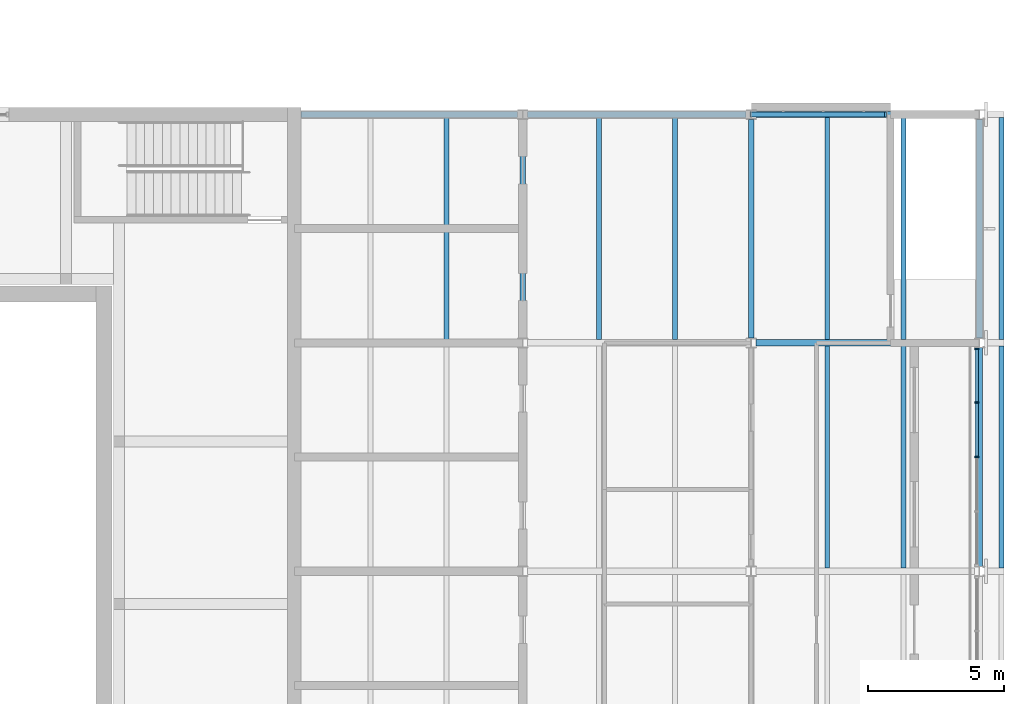
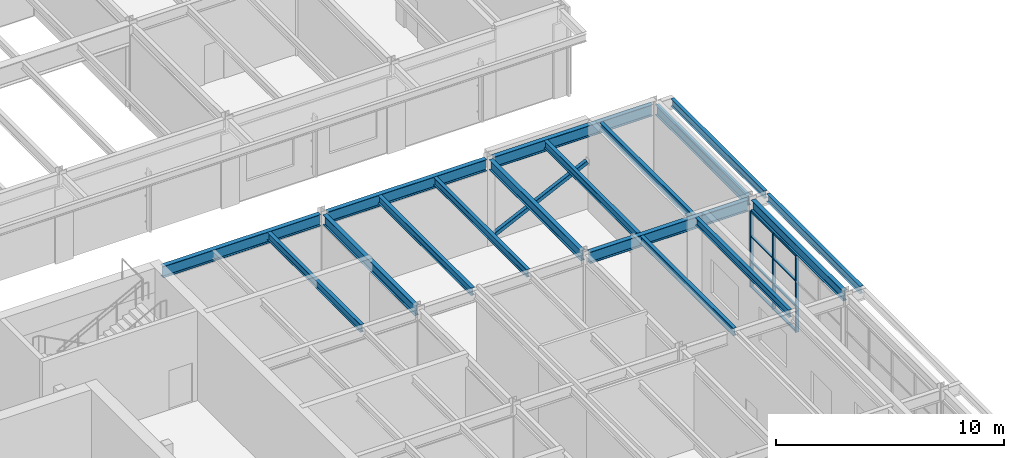
# One storey, part 49 of 116: 17 beams, 12 members, 1 element without a shape of its own.
"""IFC4 building model written with IfcOpenShell, lengths in metres."""

from ifc_helpers import new_model, si_unit, direction, frame, origin, origin_2d, place, context, subcontext, project, spatial, rectangle, hollow_rectangle, i_section, extrude, material, material_profile, profile_set, type_object, element, aggregate, save


model = new_model("IFC4")

# Units and contexts
model_context = context("Model", 3, precision=1e-05, world=origin(), true_north=direction((0.0, 1.0)))
body_context = subcontext(model_context, "Body", "Model", "MODEL_VIEW")
ifc_project = project(units=[si_unit("LENGTHUNIT", "METRE"), si_unit("AREAUNIT", "SQUARE_METRE"), si_unit("VOLUMEUNIT", "CUBIC_METRE"), si_unit("PLANEANGLEUNIT", "RADIAN"), si_unit("MASSUNIT", "GRAM", prefix="KILO")], contexts=[model_context])

# Site, building, storey
site_placement = place(None, origin())
site = spatial("IfcSite", under=ifc_project, at=site_placement, CompositionType="ELEMENT")
building_placement = place(site_placement, origin())
building = spatial("IfcBuilding", under=site, at=building_placement, Name="Ljudholm Concert House", CompositionType="ELEMENT")
storey_placement = place(building_placement, frame((0.0, 0.0, 10.199951171875)))
storey = spatial("IfcBuildingStorey", under=building, at=storey_placement, Name="L02", CompositionType="ELEMENT", Elevation=10.199951171875)

# Curtain wall, members
ifc_material_1 = material(Name="Aluminium curtain wall with fixed aluminium storm louvre blades, timber-grain finish", Category="aluminium")
curtain_wall_type = type_object("IfcCurtainWallType", Name="CURTAIN WALL 2000", PredefinedType="NOTDEFINED", material=ifc_material_1)
curtain_wall_placement = place(storey_placement, origin())
curtain_wall = element("IfcCurtainWall", 1, at=curtain_wall_placement, inside=storey, type_object=curtain_wall_type, Name="Storm louvre screen", PredefinedType="NOTDEFINED")
ifc_material_2 = material(Name="Aluminium extrusion", Category="aluminium")
ifc_material_profile_1 = material_profile(ifc_material_2, rectangle(XDim=0.159912109375, YDim=0.06005859375, at=origin_2d()), Name="MULLION 60x160")
ifc_profile_set_1 = profile_set([ifc_material_profile_1], Name="Aluminium extrusion")
member_type_1 = type_object("IfcMemberType", Name="MULLION 60x160", PredefinedType="MULLION", material=ifc_profile_set_1)
member_1_placement = place(storey_placement, frame((121.5, 83.800048828125, 0.0), z_axis=(0.0, 0.0, 1.0), x_axis=(-1.0, 0.0, 0.0)))
member_1 = element("IfcMember", 2, at=member_1_placement, type_object=member_type_1, Name="Mullion", PredefinedType="MULLION", context=body_context, shape_type="SweptSolid", body=[
    extrude(rectangle(XDim=0.159912109375, YDim=0.06005859375, at=origin_2d()), origin(), (0.0, 0.0, 1.0), 4.086669921875),
])
member_2_placement = place(storey_placement, frame((121.5, 85.804931640625, 0.0), z_axis=(0.0, 0.0, 1.0), x_axis=(-1.0, 0.0, 0.0)))
member_2 = element("IfcMember", 3, at=member_2_placement, type_object=member_type_1, Name="Mullion", PredefinedType="MULLION", context=body_context, shape_type="SweptSolid", body=[
    extrude(rectangle(XDim=0.159912109375, YDim=0.06005859375, at=origin_2d()), origin(), (0.0, 0.0, 1.0), 4.086669921875),
])
member_3_placement = place(storey_placement, frame((121.5, 87.780029296875, 0.0), z_axis=(0.0, 0.0, 1.0), x_axis=(-1.0, 0.0, 0.0)))
member_3 = element("IfcMember", 4, at=member_3_placement, type_object=member_type_1, Name="Mullion", PredefinedType="MULLION", context=body_context, shape_type="SweptSolid", body=[
    extrude(rectangle(XDim=0.159912109375, YDim=0.06005859375, at=origin_2d()), origin(), (0.0, 0.0, 1.0), 4.086669921875),
])

# Beams
ifc_material_3 = material(Name="Steel ASTM A992", Category="steel")
ifc_material_profile_2 = material_profile(ifc_material_3, i_section(OverallWidth=0.177734375, OverallDepth=0.406494140625, WebThickness=0.0078125, FlangeThickness=0.012939453125, FilletRadius=0.01025390625, at=origin_2d()), Name="W16X40")
ifc_profile_set_2 = profile_set([ifc_material_profile_2], Name="Steel ASTM A992")
beam_type_1 = type_object("IfcBeamType", Name="STEEL BEAM W16X40", PredefinedType="BEAM", material=ifc_profile_set_2)
for number, where, z_axis, x_axis, name in (
    (5, (102.0, 88.114501953125, 4.416748046875), (0.0, 1.0, 0.0), (-1.0, 0.0, 0.0), "Beam BOH-ROOF-sb-102-88"),
    (6, (107.60009765625, 88.114501953125, 4.416748046875), (0.0, 1.0, 0.0), (-1.0, 0.0, 0.0), "Beam BOH-ROOF-sb-107.6-88"),
    (7, (110.39990234375, 88.114501953125, 4.416748046875), (0.0, 1.0, 0.0), (-1.0, 0.0, 0.0), "Beam BOH-ROOF-sb-110.4-88"),
    (8, (116.0, 79.714599609375, 4.416748046875), (0.0, 1.0, 0.0), (-1.0, 0.0, 0.0), "Beam BOH-ROOF-sb-116-79.6"),
    (9, (118.800048828125, 79.714599609375, 4.416748046875), (0.0, 1.0, 0.0), (-1.0, 0.0, 0.0), "Beam BOH-ROOF-sb-118.8-79.6"),
    (10, (116.0, 88.114501953125, 4.416748046875), (0.0, 1.0, 0.0), (-1.0, 0.0, 0.0), "Beam BOH-ROOF-sb-116-88"),
    (11, (118.800048828125, 88.114501953125, 4.416748046875), (0.0, 1.0, 0.0), (-1.0, 0.0, 0.0), "Beam BOH-ROOF-sb-118.8-88"),
    (12, (122.4111328125, 79.714599609375, 4.416748046875), (0.0, 1.0, 0.0), (-1.0, 0.0, 0.0), "Beam BOH-ROOF-eave-edge-E10"),
    (13, (122.4111328125, 88.114501953125, 4.416748046875), (0.0, 1.0, 0.0), (-1.0, 0.0, 0.0), "Beam BOH-ROOF-eave-edge-E11"),
):
    element("IfcBeam", number, at=place(storey_placement, frame(where, z_axis=z_axis, x_axis=x_axis)), inside=storey, type_object=beam_type_1, Name=name, PredefinedType="BEAM", context=body_context, shape_type="SweptSolid", body=[
        extrude(i_section(OverallWidth=0.177734375, OverallDepth=0.406494140625, WebThickness=0.0078125, FlangeThickness=0.012939453125, FilletRadius=0.01025390625, at=origin_2d()), origin(), (0.0, 0.0, 1.0), 8.1708984375),
    ])
ifc_material_4 = material(Name="Steel ASTM A992", Category="steel")
ifc_material_profile_3 = material_profile(ifc_material_4, i_section(OverallWidth=0.209228515625, OverallDepth=0.533447265625, WebThickness=0.01025390625, FlangeThickness=0.015625, FilletRadius=0.012939453125, at=origin_2d()), Name="W21X62")
ifc_profile_set_3 = profile_set([ifc_material_profile_3], Name="Steel ASTM A992")
beam_type_2 = type_object("IfcBeamType", Name="STEEL BEAM W21X62", PredefinedType="BEAM", material=ifc_profile_set_3)
for number, where, z_axis, x_axis, name in (
    (14, (104.800048828125, 88.177734375, 4.353271484375), (0.0, 1.0, 0.0), (-1.0, 0.0, 0.0), "Beam BOH-ROOF-gy-104.8-88"),
    (15, (113.199951171875, 88.177734375, 4.353271484375), (0.0, 1.0, 0.0), (-1.0, 0.0, 0.0), "Beam BOH-ROOF-gy-113.2-88"),
    (16, (121.60009765625, 79.77783203125, 4.353271484375), (0.0, 1.0, 0.0), (-1.0, 0.0, 0.0), "Beam BOH-ROOF-gy-121.6-79.6"),
    (17, (121.60009765625, 88.177734375, 4.353271484375), (0.0, 1.0, 0.0), (-1.0, 0.0, 0.0), "Beam BOH-ROOF-gy-121.6-88"),
):
    element("IfcBeam", number, at=place(storey_placement, frame(where, z_axis=z_axis, x_axis=x_axis)), inside=storey, type_object=beam_type_2, Name=name, PredefinedType="BEAM", context=body_context, shape_type="SweptSolid", body=[
        extrude(i_section(OverallWidth=0.209228515625, OverallDepth=0.533447265625, WebThickness=0.01025390625, FlangeThickness=0.015625, FilletRadius=0.012939453125, at=origin_2d()), origin(), (0.0, 0.0, 1.0), 8.04443359375),
    ])
ifc_material_5 = material(Name="Steel ASTM A992", Category="steel")
ifc_material_profile_4 = material_profile(ifc_material_5, i_section(OverallWidth=0.22900390625, OverallDepth=0.612060546875, WebThickness=0.011962890625, FlangeThickness=0.01953125, FilletRadius=0.0126953125, at=origin_2d()), Name="W24X84")
ifc_profile_set_4 = profile_set([ifc_material_profile_4], Name="Steel ASTM A992")
beam_type_3 = type_object("IfcBeamType", Name="STEEL BEAM W24X84", PredefinedType="BEAM", material=ifc_profile_set_4)
beam_1_placement = place(storey_placement, frame((113.384033203125, 88.0, 4.31396484375), z_axis=(1.0, 0.0, 0.0), x_axis=(0.0, 1.0, 0.0)))
element("IfcBeam", 18, at=beam_1_placement, inside=storey, type_object=beam_type_3, Name="Beam BOH-ROOF-gx-113.2-88", PredefinedType="BEAM", context=body_context, shape_type="SweptSolid", body=[
    extrude(i_section(OverallWidth=0.22900390625, OverallDepth=0.612060546875, WebThickness=0.011962890625, FlangeThickness=0.01953125, FilletRadius=0.0126953125, at=origin_2d()), origin(), (0.0, 0.0, 1.0), 8.03173828125),
])
beam_2_placement = place(storey_placement, frame((96.64990234375, 96.39990234375, 4.31396484375), z_axis=(1.0, 0.0, 0.0), x_axis=(0.0, 1.0, 0.0)))
element("IfcBeam", 19, at=beam_2_placement, inside=storey, type_object=beam_type_3, Name="Beam BOH-ROOF-gx-96.4-96.4", PredefinedType="BEAM", context=body_context, shape_type="SweptSolid", body=[
    extrude(i_section(OverallWidth=0.22900390625, OverallDepth=0.612060546875, WebThickness=0.011962890625, FlangeThickness=0.01953125, FilletRadius=0.0126953125, at=origin_2d()), origin(), (0.0, 0.0, 1.0), 7.966064453125),
])
for number, where, z_axis, x_axis, name in (
    (20, (104.984130859375, 96.39990234375, 4.31396484375), (1.0, 0.0, 0.0), (0.0, 1.0, 0.0), "Beam BOH-ROOF-gx-104.8-96.4"),
    (21, (113.384033203125, 96.39990234375, 4.31396484375), (1.0, 0.0, 0.0), (0.0, 1.0, 0.0), "Beam BOH-ROOF-gx-113.2-96.4"),
):
    element("IfcBeam", number, at=place(storey_placement, frame(where, z_axis=z_axis, x_axis=x_axis)), inside=storey, type_object=beam_type_3, Name=name, PredefinedType="BEAM", context=body_context, shape_type="SweptSolid", body=[
        extrude(i_section(OverallWidth=0.22900390625, OverallDepth=0.612060546875, WebThickness=0.011962890625, FlangeThickness=0.01953125, FilletRadius=0.0126953125, at=origin_2d()), origin(), (0.0, 0.0, 1.0), 8.03173828125),
    ])

# Member
ifc_material_6 = material(Name="Steel ASTM A500 Gr. C", Category="steel")
ifc_material_profile_5 = material_profile(ifc_material_6, hollow_rectangle(XDim=0.203125, YDim=0.203125, WallThickness=0.01171875, InnerFilletRadius=0.005859375, OuterFilletRadius=0.017822265625, at=origin_2d()), Name="HSS8X8X1/2")
ifc_profile_set_5 = profile_set([ifc_material_profile_5], Name="Steel ASTM A500 Gr. C")
member_type_2 = type_object("IfcMemberType", Name="STEEL MEMBER HSS8X8X1/2 BRACE", PredefinedType="BRACE", material=ifc_profile_set_5)
member_4_placement = place(storey_placement, frame((113.199951171875, 96.39990234375, 0.300048828125), z_axis=(0.90202329703, 0.0, 0.431687354012), x_axis=(0.0, 1.0, 0.0)))
element("IfcMember", 22, at=member_4_placement, inside=storey, type_object=member_type_2, Name="Brace", PredefinedType="BRACE", context=body_context, shape_type="SweptSolid", body=[
    extrude(hollow_rectangle(XDim=0.203125, YDim=0.203125, WallThickness=0.01171875, InnerFilletRadius=0.005859375, OuterFilletRadius=0.017822265625, at=origin_2d()), origin(), (0.0, 0.0, 1.0), 5.476806640625),
])

ifc_material_7 = material(Name="Aluminium extrusion", Category="aluminium")
ifc_material_profile_6 = material_profile(ifc_material_7, rectangle(XDim=0.1201171875, YDim=0.06005859375, at=origin_2d()), Name="TRANSOM 60x120")
ifc_profile_set_6 = profile_set([ifc_material_profile_6], Name="Aluminium extrusion")
member_type_3 = type_object("IfcMemberType", Name="TRANSOM 60x120", PredefinedType="USERDEFINED", material=ifc_profile_set_6)
member_5_placement = place(storey_placement, frame((121.5, 83.830078125, 0.030029296875), z_axis=(0.0, 1.0, 0.0), x_axis=(-1.0, 0.0, 0.0)))
member_5 = element("IfcMember", 23, at=member_5_placement, type_object=member_type_3, Name="Transom", ObjectType="TRANSOM", PredefinedType="USERDEFINED", context=body_context, shape_type="SweptSolid", body=[
    extrude(rectangle(XDim=0.1201171875, YDim=0.06005859375, at=origin_2d()), origin(), (0.0, 0.0, 1.0), 1.94482421875),
])

member_6_placement = place(storey_placement, frame((121.5, 83.830078125, 1.3623046875), z_axis=(0.0, 1.0, 0.0), x_axis=(-1.0, 0.0, 0.0)))
member_6 = element("IfcMember", 24, at=member_6_placement, type_object=member_type_3, Name="Transom", ObjectType="TRANSOM", PredefinedType="USERDEFINED", context=body_context, shape_type="SweptSolid", body=[
    extrude(rectangle(XDim=0.1201171875, YDim=0.06005859375, at=origin_2d()), origin(), (0.0, 0.0, 1.0), 1.94482421875),
])

member_7_placement = place(storey_placement, frame((121.5, 83.830078125, 2.724365234375), z_axis=(0.0, 1.0, 0.0), x_axis=(-1.0, 0.0, 0.0)))
member_7 = element("IfcMember", 25, at=member_7_placement, type_object=member_type_3, Name="Transom", ObjectType="TRANSOM", PredefinedType="USERDEFINED", context=body_context, shape_type="SweptSolid", body=[
    extrude(rectangle(XDim=0.1201171875, YDim=0.06005859375, at=origin_2d()), origin(), (0.0, 0.0, 1.0), 1.94482421875),
])

member_8_placement = place(storey_placement, frame((121.5, 83.830078125, 4.056640625), z_axis=(0.0, 1.0, 0.0), x_axis=(-1.0, 0.0, 0.0)))
member_8 = element("IfcMember", 26, at=member_8_placement, type_object=member_type_3, Name="Transom", ObjectType="TRANSOM", PredefinedType="USERDEFINED", context=body_context, shape_type="SweptSolid", body=[
    extrude(rectangle(XDim=0.1201171875, YDim=0.06005859375, at=origin_2d()), origin(), (0.0, 0.0, 1.0), 1.94482421875),
])

member_9_placement = place(storey_placement, frame((121.5, 85.8349609375, 0.030029296875), z_axis=(0.0, 1.0, 0.0), x_axis=(-1.0, 0.0, 0.0)))
member_9 = element("IfcMember", 27, at=member_9_placement, type_object=member_type_3, Name="Transom", ObjectType="TRANSOM", PredefinedType="USERDEFINED", context=body_context, shape_type="SweptSolid", body=[
    extrude(rectangle(XDim=0.1201171875, YDim=0.06005859375, at=origin_2d()), origin(), (0.0, 0.0, 1.0), 1.9150390625),
])

member_10_placement = place(storey_placement, frame((121.5, 85.8349609375, 1.3623046875), z_axis=(0.0, 1.0, 0.0), x_axis=(-1.0, 0.0, 0.0)))
member_10 = element("IfcMember", 28, at=member_10_placement, type_object=member_type_3, Name="Transom", ObjectType="TRANSOM", PredefinedType="USERDEFINED", context=body_context, shape_type="SweptSolid", body=[
    extrude(rectangle(XDim=0.1201171875, YDim=0.06005859375, at=origin_2d()), origin(), (0.0, 0.0, 1.0), 1.9150390625),
])

member_11_placement = place(storey_placement, frame((121.5, 85.8349609375, 2.724365234375), z_axis=(0.0, 1.0, 0.0), x_axis=(-1.0, 0.0, 0.0)))
member_11 = element("IfcMember", 29, at=member_11_placement, type_object=member_type_3, Name="Transom", ObjectType="TRANSOM", PredefinedType="USERDEFINED", context=body_context, shape_type="SweptSolid", body=[
    extrude(rectangle(XDim=0.1201171875, YDim=0.06005859375, at=origin_2d()), origin(), (0.0, 0.0, 1.0), 1.9150390625),
])

member_12_placement = place(storey_placement, frame((121.5, 85.8349609375, 4.056640625), z_axis=(0.0, 1.0, 0.0), x_axis=(-1.0, 0.0, 0.0)))
member_12 = element("IfcMember", 30, at=member_12_placement, type_object=member_type_3, Name="Transom", ObjectType="TRANSOM", PredefinedType="USERDEFINED", context=body_context, shape_type="SweptSolid", body=[
    extrude(rectangle(XDim=0.1201171875, YDim=0.06005859375, at=origin_2d()), origin(), (0.0, 0.0, 1.0), 1.9150390625),
])

aggregate(curtain_wall, [member_1, member_2, member_3, member_5, member_6, member_7, member_8, member_9, member_10, member_11, member_12])

save(model, "model.ifc")
